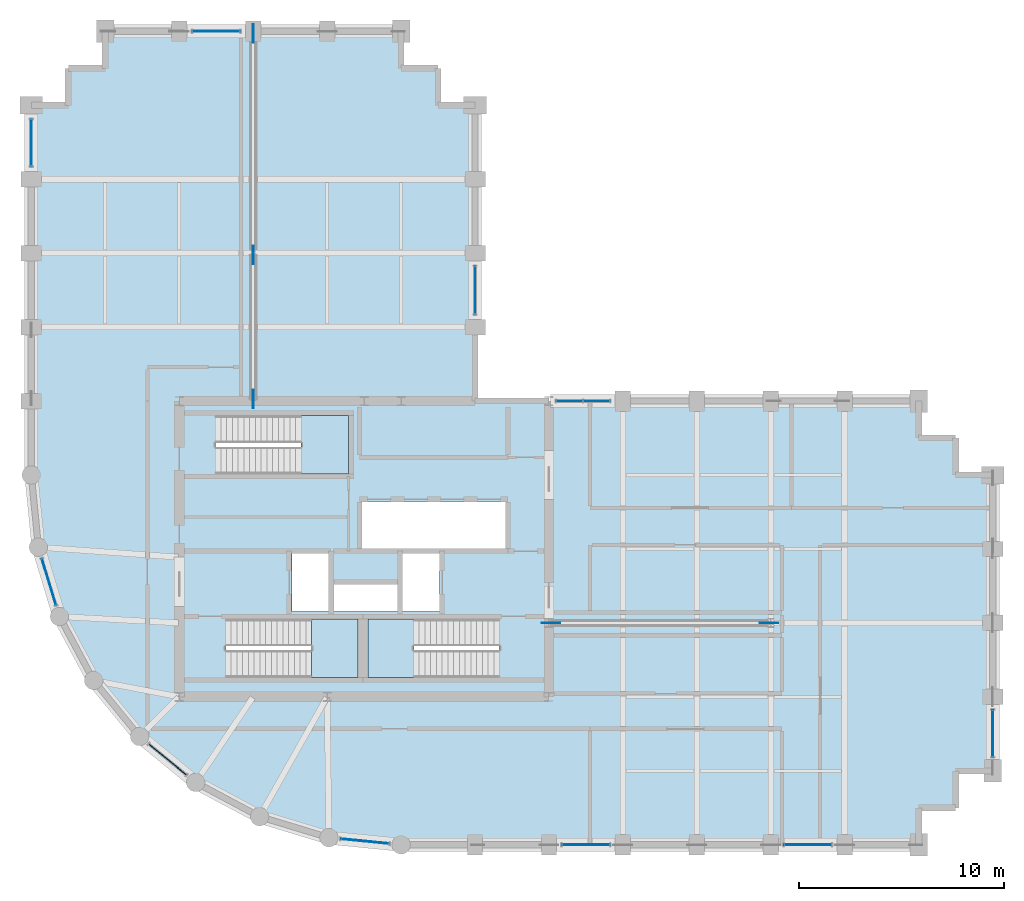
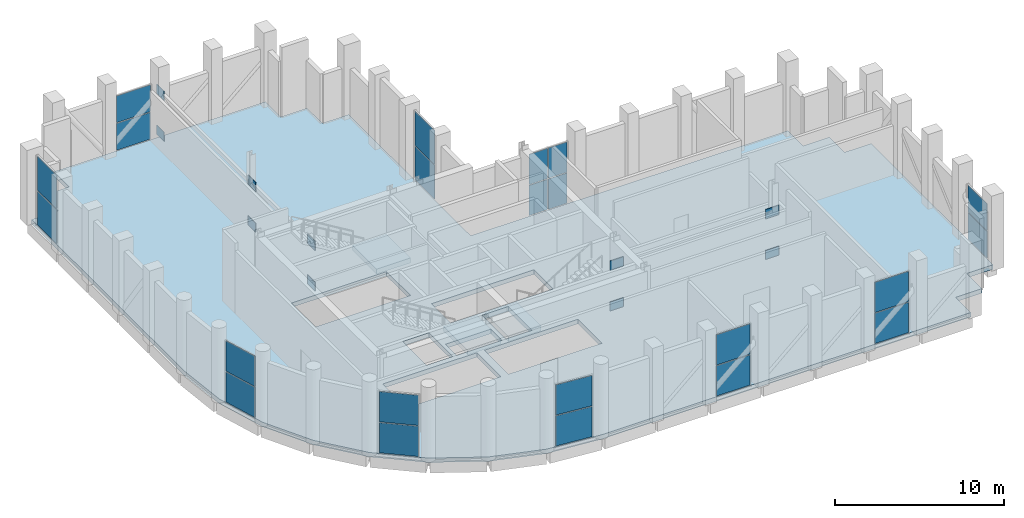
# One storey, part 14 of 19: 32 plates, 4 slabs, 13 elements without a shape of their own.
"""IFC4 building model written with IfcOpenShell, lengths in metres."""

from ifc_helpers import new_model, si_unit, direction, frame, origin, origin_2d, place, context, subcontext, project, spatial, polyline, rectangle, outline, extrude, material, layer, layer_set, type_object, element, aggregate, save


model = new_model("IFC4")

# Units and contexts
model_context = context("Model", 3, precision=1e-05, world=origin(), true_north=direction((0.0, 1.0)))
body_context = subcontext(model_context, "Body", "Model", "MODEL_VIEW")
ifc_project = project(units=[si_unit("LENGTHUNIT", "METRE"), si_unit("AREAUNIT", "SQUARE_METRE"), si_unit("VOLUMEUNIT", "CUBIC_METRE"), si_unit("PLANEANGLEUNIT", "RADIAN"), si_unit("MASSUNIT", "GRAM", prefix="KILO")], contexts=[model_context])

# Site, building, storey
site_placement = place(None, origin())
site = spatial("IfcSite", under=ifc_project, at=site_placement, CompositionType="ELEMENT")
building_placement = place(site_placement, origin())
building = spatial("IfcBuilding", under=site, at=building_placement, Name="Solnavia Interchange Tower", CompositionType="ELEMENT")
storey_placement = place(building_placement, frame((0.0, 0.0, 169.39990234375)))
storey = spatial("IfcBuildingStorey", under=building, at=storey_placement, Name="L42", CompositionType="ELEMENT", Elevation=169.39990234375)

# Curtain wall, plates
ifc_material_1 = material(Name="Aluminium Alloy 6063-T6", Category="aluminium")
ifc_layer_1 = layer(ifc_material_1, 0.199951171875)
ifc_layer_set_1 = layer_set([ifc_layer_1], Name="Aluminium Alloy 6063-T6")
curtain_wall_type = type_object("IfcCurtainWallType", Name="CurtainWall-Louvre-CTW5", PredefinedType="NOTDEFINED", material=ifc_layer_set_1)
curtain_wall_1_placement = place(storey_placement, origin())
curtain_wall_1 = element("IfcCurtainWall", 1, at=curtain_wall_1_placement, inside=storey, type_object=curtain_wall_type, Name="CTW-L42-L03 CTW-5 curtain wall", PredefinedType="NOTDEFINED")
ifc_material_2 = material(Name="Powder-Coated Aluminium Louvre", Category="aluminium")
ifc_layer_2 = layer(ifc_material_2, 0.0400390625)
ifc_layer_set_2 = layer_set([ifc_layer_2], Name="Powder-Coated Aluminium Louvre")
plate_type_1 = type_object("IfcPlateType", Name="CW-Panel-Louvre-40", PredefinedType="CURTAIN_PANEL", material=ifc_layer_set_2)
plate_1_placement = place(storey_placement, frame((34.199951171875, 3.60009765625, 0.06005859375), z_axis=(0.0, 0.0, 1.0), x_axis=(1.0, 0.0, 0.0)))
plate_1 = element("IfcPlate", 2, at=plate_1_placement, type_object=plate_type_1, Name="CTW-5 panel 1.1", PredefinedType="CURTAIN_PANEL", context=body_context, shape_type="SweptSolid", body=[
    extrude(rectangle(XDim=2.304931640625, YDim=0.0400390625, at=origin_2d()), origin(), (0.0, 0.0, 1.0), 2.175048828125),
])
plate_2_placement = place(storey_placement, frame((34.199951171875, 3.60009765625, 2.294921875), z_axis=(0.0, 0.0, 1.0), x_axis=(1.0, 0.0, 0.0)))
plate_2 = element("IfcPlate", 3, at=plate_2_placement, type_object=plate_type_1, Name="CTW-5 panel 1.2", PredefinedType="CURTAIN_PANEL", context=body_context, shape_type="SweptSolid", body=[
    extrude(rectangle(XDim=2.304931640625, YDim=0.0400390625, at=origin_2d()), origin(), (0.0, 0.0, 1.0), 2.175048828125),
])
aggregate(curtain_wall_1, [plate_1, plate_2])

curtain_wall_2_placement = place(storey_placement, origin())
curtain_wall_2 = element("IfcCurtainWall", 4, at=curtain_wall_2_placement, inside=storey, type_object=curtain_wall_type, Name="CTW-L42-L06 CTW-5 curtain wall", PredefinedType="NOTDEFINED")
plate_3_placement = place(storey_placement, frame((45.0, 3.60009765625, 0.06005859375), z_axis=(0.0, 0.0, 1.0), x_axis=(1.0, 0.0, 0.0)))
plate_3 = element("IfcPlate", 5, at=plate_3_placement, type_object=plate_type_1, Name="CTW-5 panel 1.1", PredefinedType="CURTAIN_PANEL", context=body_context, shape_type="SweptSolid", body=[
    extrude(rectangle(XDim=2.304931640625, YDim=0.0400390625, at=origin_2d()), origin(), (0.0, 0.0, 1.0), 2.175048828125),
])
plate_4_placement = place(storey_placement, frame((45.0, 3.60009765625, 2.294921875), z_axis=(0.0, 0.0, 1.0), x_axis=(1.0, 0.0, 0.0)))
plate_4 = element("IfcPlate", 6, at=plate_4_placement, type_object=plate_type_1, Name="CTW-5 panel 1.2", PredefinedType="CURTAIN_PANEL", context=body_context, shape_type="SweptSolid", body=[
    extrude(rectangle(XDim=2.304931640625, YDim=0.0400390625, at=origin_2d()), origin(), (0.0, 0.0, 1.0), 2.175048828125),
])
aggregate(curtain_wall_2, [plate_3, plate_4])

curtain_wall_3_placement = place(storey_placement, origin())
curtain_wall_3 = element("IfcCurtainWall", 7, at=curtain_wall_3_placement, inside=storey, type_object=curtain_wall_type, Name="CTW-L42-L12 CTW-5 curtain wall", PredefinedType="NOTDEFINED")
plate_5_placement = place(storey_placement, frame((54.0, 9.02490234375, 0.06005859375), z_axis=(0.0, 0.0, 1.0), x_axis=(0.0, 1.0, 0.0)))
plate_5 = element("IfcPlate", 8, at=plate_5_placement, type_object=plate_type_1, Name="CTW-5 panel 1.1", PredefinedType="CURTAIN_PANEL", context=body_context, shape_type="SweptSolid", body=[
    extrude(rectangle(XDim=2.2548828125, YDim=0.0400390625, at=origin_2d()), origin(), (0.0, 0.0, 1.0), 1.925048828125),
])
plate_6_placement = place(storey_placement, frame((54.0, 9.02490234375, 2.044921875), z_axis=(0.0, 0.0, 1.0), x_axis=(0.0, 1.0, 0.0)))
plate_6 = element("IfcPlate", 9, at=plate_6_placement, type_object=plate_type_1, Name="CTW-5 panel 1.2", PredefinedType="CURTAIN_PANEL", context=body_context, shape_type="SweptSolid", body=[
    extrude(rectangle(XDim=2.2548828125, YDim=0.0400390625, at=origin_2d()), origin(), (0.0, 0.0, 1.0), 1.925048828125),
])
aggregate(curtain_wall_3, [plate_5, plate_6])

curtain_wall_4_placement = place(storey_placement, origin())
curtain_wall_4 = element("IfcCurtainWall", 10, at=curtain_wall_4_placement, inside=storey, type_object=curtain_wall_type, Name="CTW-L42-L24 CTW-5 curtain wall", PredefinedType="NOTDEFINED")
plate_7_placement = place(storey_placement, frame((34.72265625, 25.199951171875, 0.06005859375), z_axis=(0.0, 0.0, 1.0), x_axis=(-1.0, 0.0, 0.0)))
plate_7 = element("IfcPlate", 11, at=plate_7_placement, type_object=plate_type_1, Name="CTW-5 panel 1.1", PredefinedType="CURTAIN_PANEL", context=body_context, shape_type="SweptSolid", body=[
    extrude(rectangle(XDim=1.259521484375, YDim=0.0400390625, at=origin_2d()), origin(), (0.0, 0.0, 1.0), 2.175048828125),
])
plate_8_placement = place(storey_placement, frame((34.72265625, 25.199951171875, 2.294921875), z_axis=(0.0, 0.0, 1.0), x_axis=(-1.0, 0.0, 0.0)))
plate_8 = element("IfcPlate", 12, at=plate_8_placement, type_object=plate_type_1, Name="CTW-5 panel 1.2", PredefinedType="CURTAIN_PANEL", context=body_context, shape_type="SweptSolid", body=[
    extrude(rectangle(XDim=1.259521484375, YDim=0.0400390625, at=origin_2d()), origin(), (0.0, 0.0, 1.0), 2.175048828125),
])
plate_9_placement = place(storey_placement, frame((33.398193359375, 25.199951171875, 0.06005859375), z_axis=(0.0, 0.0, 1.0), x_axis=(-1.0, 0.0, 0.0)))
plate_9 = element("IfcPlate", 13, at=plate_9_placement, type_object=plate_type_1, Name="CTW-5 panel 2.1", PredefinedType="CURTAIN_PANEL", context=body_context, shape_type="SweptSolid", body=[
    extrude(rectangle(XDim=1.259521484375, YDim=0.0400390625, at=origin_2d()), origin(), (0.0, 0.0, 1.0), 2.175048828125),
])
plate_10_placement = place(storey_placement, frame((33.398193359375, 25.199951171875, 2.294921875), z_axis=(0.0, 0.0, 1.0), x_axis=(-1.0, 0.0, 0.0)))
plate_10 = element("IfcPlate", 14, at=plate_10_placement, type_object=plate_type_1, Name="CTW-5 panel 2.2", PredefinedType="CURTAIN_PANEL", context=body_context, shape_type="SweptSolid", body=[
    extrude(rectangle(XDim=1.259521484375, YDim=0.0400390625, at=origin_2d()), origin(), (0.0, 0.0, 1.0), 2.175048828125),
])
aggregate(curtain_wall_4, [plate_7, plate_8, plate_9, plate_10])

curtain_wall_5_placement = place(storey_placement, origin())
curtain_wall_5 = element("IfcCurtainWall", 15, at=curtain_wall_5_placement, inside=storey, type_object=curtain_wall_type, Name="CTW-L42-L27 CTW-5 curtain wall", PredefinedType="NOTDEFINED")
plate_11_placement = place(storey_placement, frame((28.800048828125, 30.60009765625, 0.06005859375), z_axis=(0.0, 0.0, 1.0), x_axis=(0.0, 1.0, 0.0)))
plate_11 = element("IfcPlate", 16, at=plate_11_placement, type_object=plate_type_1, Name="CTW-5 panel 1.1", PredefinedType="CURTAIN_PANEL", context=body_context, shape_type="SweptSolid", body=[
    extrude(rectangle(XDim=2.304931640625, YDim=0.0400390625, at=origin_2d()), origin(), (0.0, 0.0, 1.0), 2.443115234375),
])
plate_12_placement = place(storey_placement, frame((28.800048828125, 30.60009765625, 2.563232421875), z_axis=(0.0, 0.0, 1.0), x_axis=(0.0, 1.0, 0.0)))
plate_12 = element("IfcPlate", 17, at=plate_12_placement, type_object=plate_type_1, Name="CTW-5 panel 1.2", PredefinedType="CURTAIN_PANEL", context=body_context, shape_type="SweptSolid", body=[
    extrude(rectangle(XDim=2.304931640625, YDim=0.0400390625, at=origin_2d()), origin(), (0.0, 0.0, 1.0), 2.44189453125),
])
aggregate(curtain_wall_5, [plate_11, plate_12])

curtain_wall_6_placement = place(storey_placement, origin())
curtain_wall_6 = element("IfcCurtainWall", 18, at=curtain_wall_6_placement, inside=storey, type_object=curtain_wall_type, Name="CTW-L42-L36 CTW-5 curtain wall", PredefinedType="NOTDEFINED")
plate_13_placement = place(storey_placement, frame((16.199951171875, 43.199951171875, 0.06005859375), z_axis=(0.0, 0.0, 1.0), x_axis=(-1.0, 0.0, 0.0)))
plate_13 = element("IfcPlate", 19, at=plate_13_placement, type_object=plate_type_1, Name="CTW-5 panel 1.1", PredefinedType="CURTAIN_PANEL", context=body_context, shape_type="SweptSolid", body=[
    extrude(rectangle(XDim=2.304931640625, YDim=0.0400390625, at=origin_2d()), origin(), (0.0, 0.0, 1.0), 1.925048828125),
])
plate_14_placement = place(storey_placement, frame((16.199951171875, 43.199951171875, 2.044921875), z_axis=(0.0, 0.0, 1.0), x_axis=(-1.0, 0.0, 0.0)))
plate_14 = element("IfcPlate", 20, at=plate_14_placement, type_object=plate_type_1, Name="CTW-5 panel 1.2", PredefinedType="CURTAIN_PANEL", context=body_context, shape_type="SweptSolid", body=[
    extrude(rectangle(XDim=2.304931640625, YDim=0.0400390625, at=origin_2d()), origin(), (0.0, 0.0, 1.0), 1.925048828125),
])
aggregate(curtain_wall_6, [plate_13, plate_14])

curtain_wall_7_placement = place(storey_placement, origin())
curtain_wall_7 = element("IfcCurtainWall", 21, at=curtain_wall_7_placement, inside=storey, type_object=curtain_wall_type, Name="CTW-L42-L42 CTW-5 curtain wall", PredefinedType="NOTDEFINED")
plate_15_placement = place(storey_placement, frame((7.199951171875, 37.77490234375, 0.06005859375), z_axis=(0.0, 0.0, 1.0), x_axis=(0.0, -1.0, 0.0)))
plate_15 = element("IfcPlate", 22, at=plate_15_placement, type_object=plate_type_1, Name="CTW-5 panel 1.1", PredefinedType="CURTAIN_PANEL", context=body_context, shape_type="SweptSolid", body=[
    extrude(rectangle(XDim=2.2548828125, YDim=0.0400390625, at=origin_2d()), origin(), (0.0, 0.0, 1.0), 2.443115234375),
])
plate_16_placement = place(storey_placement, frame((7.199951171875, 37.77490234375, 2.563232421875), z_axis=(0.0, 0.0, 1.0), x_axis=(0.0, -1.0, 0.0)))
plate_16 = element("IfcPlate", 23, at=plate_16_placement, type_object=plate_type_1, Name="CTW-5 panel 1.2", PredefinedType="CURTAIN_PANEL", context=body_context, shape_type="SweptSolid", body=[
    extrude(rectangle(XDim=2.2548828125, YDim=0.0400390625, at=origin_2d()), origin(), (0.0, 0.0, 1.0), 2.44189453125),
])
aggregate(curtain_wall_7, [plate_15, plate_16])

curtain_wall_8_placement = place(storey_placement, origin())
curtain_wall_8 = element("IfcCurtainWall", 24, at=curtain_wall_8_placement, inside=storey, type_object=curtain_wall_type, Name="CTW-L42-L48 CTW-5 curtain wall", PredefinedType="NOTDEFINED")
plate_17_placement = place(storey_placement, frame((8.05810546875, 16.39990234375, 0.06005859375), z_axis=(0.0, 0.0, 1.0), x_axis=(0.290237282649, -0.956954711447, 0.0)))
plate_17 = element("IfcPlate", 25, at=plate_17_placement, type_object=plate_type_1, Name="CTW-5 panel 1.1", PredefinedType="CURTAIN_PANEL", context=body_context, shape_type="SweptSolid", body=[
    extrude(rectangle(XDim=2.332763671875, YDim=0.0400390625, at=origin_2d()), origin(), (0.0, 0.0, 1.0), 2.175048828125),
])
plate_18_placement = place(storey_placement, frame((8.05810546875, 16.39990234375, 2.294921875), z_axis=(0.0, 0.0, 1.0), x_axis=(0.290237282649, -0.956954711447, 0.0)))
plate_18 = element("IfcPlate", 26, at=plate_18_placement, type_object=plate_type_1, Name="CTW-5 panel 1.2", PredefinedType="CURTAIN_PANEL", context=body_context, shape_type="SweptSolid", body=[
    extrude(rectangle(XDim=2.332763671875, YDim=0.0400390625, at=origin_2d()), origin(), (0.0, 0.0, 1.0), 2.175048828125),
])
aggregate(curtain_wall_8, [plate_17, plate_18])

curtain_wall_9_placement = place(storey_placement, origin())
curtain_wall_9 = element("IfcCurtainWall", 27, at=curtain_wall_9_placement, inside=storey, type_object=curtain_wall_type, Name="CTW-L42-L51 CTW-5 curtain wall", PredefinedType="NOTDEFINED")
plate_19_placement = place(storey_placement, frame((13.8359375, 7.7529296875, 0.06005859375), z_axis=(0.0, 0.0, 1.0), x_axis=(0.773102971828, -0.634280533322, 0.0)))
plate_19 = element("IfcPlate", 28, at=plate_19_placement, type_object=plate_type_1, Name="CTW-5 panel 1.1", PredefinedType="CURTAIN_PANEL", context=body_context, shape_type="SweptSolid", body=[
    extrude(rectangle(XDim=2.33349609375, YDim=0.0400390625, at=origin_2d()), origin(), (0.0, 0.0, 1.0), 2.175048828125),
])
plate_20_placement = place(storey_placement, frame((13.8359375, 7.7529296875, 2.294921875), z_axis=(0.0, 0.0, 1.0), x_axis=(0.773102971828, -0.634280533322, 0.0)))
plate_20 = element("IfcPlate", 29, at=plate_20_placement, type_object=plate_type_1, Name="CTW-5 panel 1.2", PredefinedType="CURTAIN_PANEL", context=body_context, shape_type="SweptSolid", body=[
    extrude(rectangle(XDim=2.33349609375, YDim=0.0400390625, at=origin_2d()), origin(), (0.0, 0.0, 1.0), 2.175048828125),
])
aggregate(curtain_wall_9, [plate_19, plate_20])

curtain_wall_10_placement = place(storey_placement, origin())
curtain_wall_10 = element("IfcCurtainWall", 30, at=curtain_wall_10_placement, inside=storey, type_object=curtain_wall_type, Name="CTW-L42-L54 CTW-5 curtain wall", PredefinedType="NOTDEFINED")
plate_21_placement = place(storey_placement, frame((23.444091796875, 3.77294921875, 0.06005859375), z_axis=(0.0, 0.0, 1.0), x_axis=(0.99518158372, -0.098049046011, 0.0)))
plate_21 = element("IfcPlate", 31, at=plate_21_placement, type_object=plate_type_1, Name="CTW-5 panel 1.1", PredefinedType="CURTAIN_PANEL", context=body_context, shape_type="SweptSolid", body=[
    extrude(rectangle(XDim=2.333984375, YDim=0.0400390625, at=origin_2d()), origin(), (0.0, 0.0, 1.0), 2.175048828125),
])
plate_22_placement = place(storey_placement, frame((23.444091796875, 3.77294921875, 2.294921875), z_axis=(0.0, 0.0, 1.0), x_axis=(0.99518158372, -0.098049046011, 0.0)))
plate_22 = element("IfcPlate", 32, at=plate_22_placement, type_object=plate_type_1, Name="CTW-5 panel 1.2", PredefinedType="CURTAIN_PANEL", context=body_context, shape_type="SweptSolid", body=[
    extrude(rectangle(XDim=2.333984375, YDim=0.0400390625, at=origin_2d()), origin(), (0.0, 0.0, 1.0), 2.175048828125),
])
aggregate(curtain_wall_10, [plate_21, plate_22])

# Plates
ifc_material_3 = material(Name="Steel S460", Category="steel")
ifc_layer_3 = layer(ifc_material_3, 0.035888671875)
ifc_layer_set_3 = layer_set([ifc_layer_3], Name="Steel S460")
plate_type_2 = type_object("IfcPlateType", Name="Plate-Gusset-900x680x36", PredefinedType="USERDEFINED", material=ifc_layer_set_3)
for number, where, z_axis, x_axis, name in (
    (33, (32.5, 14.39990234375, -0.0400390625), (0.0, 0.0, 1.0), (1.0, 0.0, 0.0), "PLT-L42-GP09 Outrigger node gusset plate"),
    (34, (43.10009765625, 14.39990234375, -0.0400390625), (0.0, 0.0, 1.0), (1.0, 0.0, 0.0), "PLT-L42-GP10 Outrigger node gusset plate"),
    (35, (32.5, 14.39990234375, 2.91015625), (0.0, 0.0, 1.0), (1.0, 0.0, 0.0), "PLT-L42-GP11 Outrigger node gusset plate"),
    (36, (43.10009765625, 14.39990234375, 2.91015625), (0.0, 0.0, 1.0), (1.0, 0.0, 0.0), "PLT-L42-GP12 Outrigger node gusset plate"),
    (37, (18.0, 25.300048828125, -0.0400390625), (0.0, 0.0, 1.0), (0.0, 1.0, 0.0), "PLT-L42-GP13 Outrigger node gusset plate"),
    (38, (18.0, 32.300048828125, -0.0400390625), (0.0, 0.0, 1.0), (0.0, 1.0, 0.0), "PLT-L42-GP14 Outrigger node gusset plate"),
    (39, (18.0, 25.300048828125, 2.91015625), (0.0, 0.0, 1.0), (0.0, 1.0, 0.0), "PLT-L42-GP15 Outrigger node gusset plate"),
    (40, (18.0, 32.300048828125, 2.91015625), (0.0, 0.0, 1.0), (0.0, 1.0, 0.0), "PLT-L42-GP16 Outrigger node gusset plate"),
    (41, (18.0, 43.10009765625, -0.0400390625), (0.0, 0.0, 1.0), (0.0, 1.0, 0.0), "PLT-L42-GP17 Outrigger node gusset plate"),
    (42, (18.0, 43.10009765625, 2.91015625), (0.0, 0.0, 1.0), (0.0, 1.0, 0.0), "PLT-L42-GP18 Outrigger node gusset plate"),
):
    element("IfcPlate", number, at=place(storey_placement, frame(where, z_axis=z_axis, x_axis=x_axis)), inside=storey, type_object=plate_type_2, Name=name, ObjectType="GUSSET PLATE", PredefinedType="USERDEFINED", context=body_context, shape_type="SweptSolid", body=[
        extrude(rectangle(XDim=0.89990234375, YDim=0.035888671875, at=origin_2d()), origin(), (0.0, 0.0, 1.0), 0.679931640625),
    ])

# Slab
ifc_material_4 = material(Name="Concrete C40/50", Category="concrete")
ifc_layer_4 = layer(ifc_material_4, 0.320068359375)
ifc_layer_set_4 = layer_set([ifc_layer_4], Name="Concrete C40/50")
slab_type_1 = type_object("IfcSlabType", Name="Slab-Special-320", PredefinedType="FLOOR", material=ifc_layer_set_4)
slab_1_placement = place(storey_placement, frame((0.0, 0.0, -0.31982421875)))
element("IfcSlab", 43, at=slab_1_placement, inside=storey, type_object=slab_type_1, Name="SLB-L42-01 Structural floor slab", PredefinedType="FLOOR", context=body_context, shape_type="SweptSolid", body=[
    extrude(outline(polyline([(25.199951171875, 3.60009765625), (50.39990234375, 3.60009765625), (50.39990234375, 5.39990234375), (52.199951171875, 5.39990234375), (52.199951171875, 7.199951171875), (54.0, 7.199951171875), (54.0, 21.60009765625), (52.199951171875, 21.60009765625), (52.199951171875, 23.39990234375), (50.39990234375, 23.39990234375), (50.39990234375, 25.199951171875), (28.800048828125, 25.199951171875), (28.800048828125, 39.60009765625), (27.0, 39.60009765625), (27.0, 41.39990234375), (25.199951171875, 41.39990234375), (25.199951171875, 43.199951171875), (10.800048828125, 43.199951171875), (10.800048828125, 41.39990234375), (9.0, 41.39990234375), (9.0, 39.60009765625), (7.199951171875, 39.60009765625), (7.199951171875, 21.60009765625), (7.5458984375, 18.087890625), (8.570068359375, 14.7119140625), (10.23388671875, 11.60009765625), (12.471923828125, 8.8720703125), (15.199951171875, 6.634033203125), (18.31201171875, 4.969970703125), (21.68798828125, 3.946044921875), (25.199951171875, 3.60009765625)]), holes=[polyline([(16.675048828125, 11.75), (23.10009765625, 11.75), (23.10009765625, 14.590087890625), (16.675048828125, 14.590087890625), (16.675048828125, 11.75)]), polyline([(23.60009765625, 11.75), (29.97509765625, 11.75), (29.97509765625, 14.590087890625), (23.60009765625, 14.590087890625), (23.60009765625, 11.75)]), polyline([(16.175048828125, 21.64990234375), (22.64990234375, 21.64990234375), (22.64990234375, 24.489990234375), (16.175048828125, 24.489990234375), (16.175048828125, 21.64990234375)]), polyline([(19.8798828125, 14.9599609375), (21.679931640625, 14.9599609375), (21.679931640625, 17.780029296875), (19.8798828125, 17.780029296875), (19.8798828125, 14.9599609375)]), polyline([(25.280029296875, 14.9599609375), (27.080078125, 14.9599609375), (27.080078125, 17.780029296875), (25.280029296875, 17.780029296875), (25.280029296875, 14.9599609375)]), polyline([(21.919921875, 14.9599609375), (25.02001953125, 14.9599609375), (25.02001953125, 16.280029296875), (21.919921875, 16.280029296875), (21.919921875, 14.9599609375)]), polyline([(23.300048828125, 18.02001953125), (30.280029296875, 18.02001953125), (30.280029296875, 20.300048828125), (23.300048828125, 20.300048828125), (23.300048828125, 18.02001953125)])]), origin(), (0.0, 0.0, 1.0), 0.31982421875),
])

# Stair, slab
stair_type = type_object("IfcStairType", Name="Stair-Dogleg-RC", PredefinedType="HALF_TURN_STAIR", material=ifc_material_4)
stair_1_placement = place(storey_placement, origin())
stair_1 = element("IfcStair", 44, at=stair_1_placement, inside=storey, type_object=stair_type, Name="L42 Core exit stair 1", PredefinedType="HALF_TURN_STAIR")
ifc_layer_5 = layer(ifc_material_4, 0.35009765625)
ifc_layer_set_5 = layer_set([ifc_layer_5], Name="Concrete C40/50")
slab_type_2 = type_object("IfcSlabType", Name="Slab-StairLanding-350", PredefinedType="LANDING", material=ifc_layer_set_5)
slab_2_placement = place(storey_placement, frame((0.0, 0.0, 2.35009765625)))
slab_2 = element("IfcSlab", 45, at=slab_2_placement, type_object=slab_type_2, Name="ST-1 landing 1", PredefinedType="LANDING", context=body_context, shape_type="SweptSolid", body=[
    extrude(outline(polyline([(20.827880859375, 11.75), (23.10009765625, 11.75), (23.10009765625, 14.590087890625), (20.827880859375, 14.590087890625), (20.827880859375, 11.75)])), origin(), (0.0, 0.0, 1.0), 0.35009765625),
])
aggregate(stair_1, [slab_2])

stair_2_placement = place(storey_placement, origin())
stair_2 = element("IfcStair", 46, at=stair_2_placement, inside=storey, type_object=stair_type, Name="L42 Core exit stair 2", PredefinedType="HALF_TURN_STAIR")
slab_3_placement = place(storey_placement, frame((0.0, 0.0, 2.35009765625)))
slab_3 = element("IfcSlab", 47, at=slab_3_placement, type_object=slab_type_2, Name="ST-2 landing 1", PredefinedType="LANDING", context=body_context, shape_type="SweptSolid", body=[
    extrude(outline(polyline([(23.60009765625, 11.75), (25.822021484375, 11.75), (25.822021484375, 14.590087890625), (23.60009765625, 14.590087890625), (23.60009765625, 11.75)])), origin(), (0.0, 0.0, 1.0), 0.35009765625),
])
aggregate(stair_2, [slab_3])

stair_3_placement = place(storey_placement, origin())
stair_3 = element("IfcStair", 48, at=stair_3_placement, inside=storey, type_object=stair_type, Name="L42 Core exit stair 3", PredefinedType="HALF_TURN_STAIR")
slab_4_placement = place(storey_placement, frame((0.0, 0.0, 2.35009765625)))
slab_4 = element("IfcSlab", 49, at=slab_4_placement, type_object=slab_type_2, Name="ST-3 landing 1", PredefinedType="LANDING", context=body_context, shape_type="SweptSolid", body=[
    extrude(outline(polyline([(20.327880859375, 21.64990234375), (22.64990234375, 21.64990234375), (22.64990234375, 24.489990234375), (20.327880859375, 24.489990234375), (20.327880859375, 21.64990234375)])), origin(), (0.0, 0.0, 1.0), 0.35009765625),
])
aggregate(stair_3, [slab_4])

save(model, "model.ifc")
